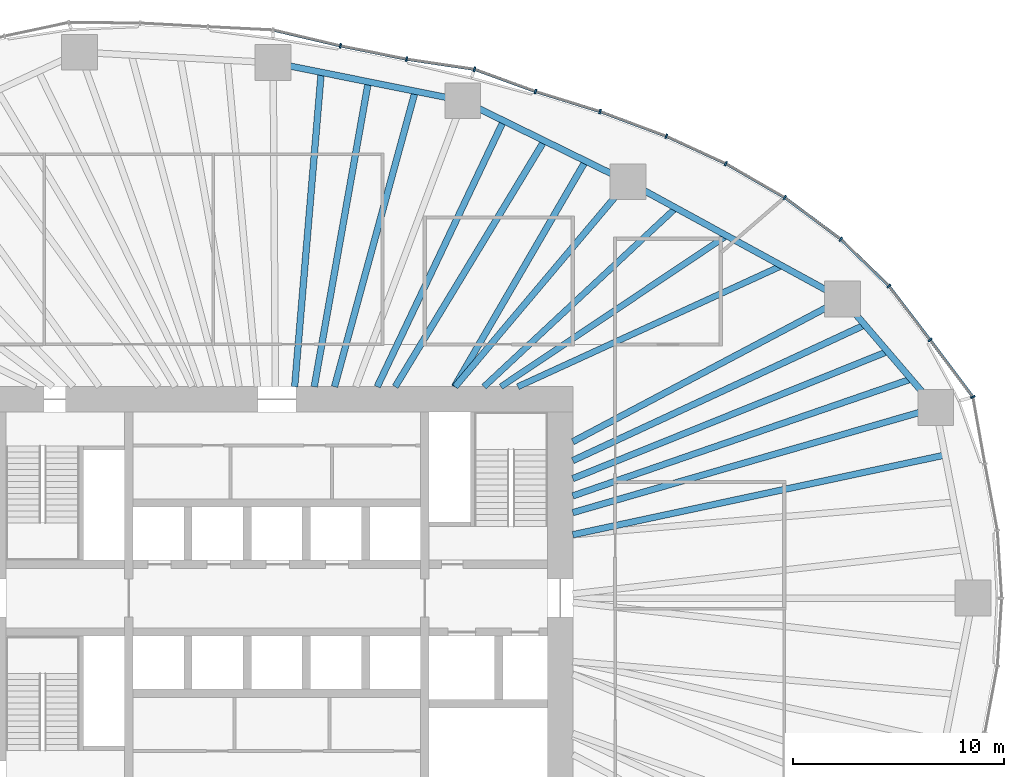
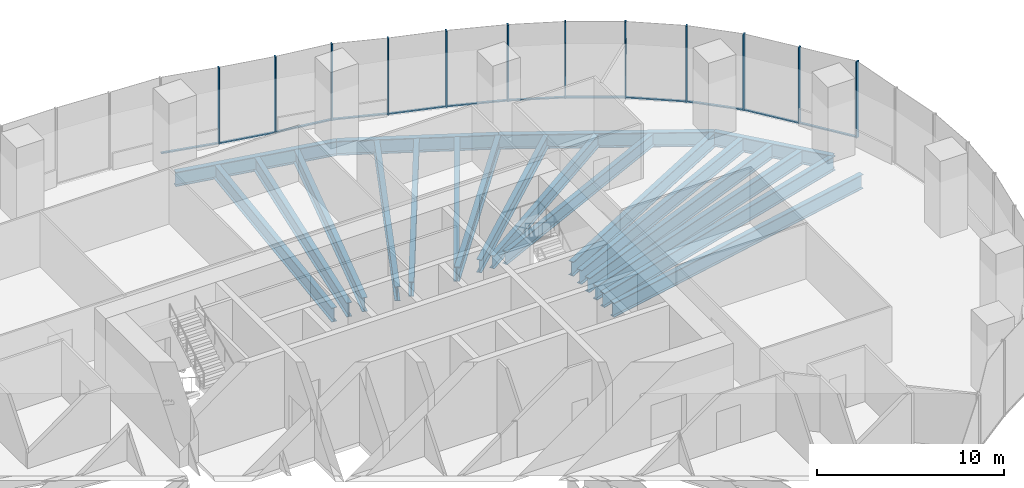
# One storey, part 6 of 20: 24 members, 20 beams, 4 elements without a shape of their own.
"""IFC4 building model written with IfcOpenShell, lengths in metres."""

from ifc_helpers import new_model, si_unit, direction, frame, origin, origin_2d, place, context, subcontext, project, spatial, rectangle, i_section, extrude, material, material_profile, profile_set, type_object, element, aggregate, save


model = new_model("IFC4")

# Units and contexts
model_context = context("Model", 3, precision=1e-05, world=origin(), true_north=direction((0.0, 1.0)))
body_context = subcontext(model_context, "Body", "Model", "MODEL_VIEW")
ifc_project = project(units=[si_unit("LENGTHUNIT", "METRE"), si_unit("AREAUNIT", "SQUARE_METRE"), si_unit("VOLUMEUNIT", "CUBIC_METRE"), si_unit("PLANEANGLEUNIT", "RADIAN"), si_unit("MASSUNIT", "GRAM", prefix="KILO")], contexts=[model_context])

# Site, building, storey
site_placement = place(None, origin())
site = spatial("IfcSite", under=ifc_project, at=site_placement, CompositionType="ELEMENT")
building_placement = place(site_placement, origin())
building = spatial("IfcBuilding", under=site, at=building_placement, Name="Ghaith Harvest Tower", CompositionType="ELEMENT")
storey_placement = place(building_placement, frame((0.0, 0.0, 60.0)))
storey = spatial("IfcBuildingStorey", under=building, at=storey_placement, Name="L12", CompositionType="ELEMENT", Elevation=60.0)

# Curtain wall, members
ifc_material_1 = material(Name="Black anodised aluminium and fritted glass", Category="aluminium")
curtain_wall_type = type_object("IfcCurtainWallType", Name="CW-F CURTAIN WALL", PredefinedType="NOTDEFINED", material=ifc_material_1)
curtain_wall_1_placement = place(storey_placement, origin())
curtain_wall_1 = element("IfcCurtainWall", 1, at=curtain_wall_1_placement, inside=storey, type_object=curtain_wall_type, Name="Curtain wall CW-F bay 02 L12", PredefinedType="NOTDEFINED")
ifc_material_2 = material(Name="Aluminium, black anodised", Category="aluminium")
ifc_material_profile_1 = material_profile(ifc_material_2, rectangle(XDim=0.080078125, YDim=0.219970703125, at=origin_2d()), Name="CW-F MULLION 80x220")
ifc_profile_set_1 = profile_set([ifc_material_profile_1], Name="Aluminium, black anodised")
member_type_1 = type_object("IfcMemberType", Name="CW-F MULLION 80x220", PredefinedType="MULLION", material=ifc_profile_set_1)
member_1_placement = place(storey_placement, frame((32.923583984375, 9.515625, 0.0), z_axis=(0.0, 0.0, 1.0), x_axis=(-0.404701693729, 0.914448762421, 0.0)))
member_1 = element("IfcMember", 2, at=member_1_placement, type_object=member_type_1, Name="CW-F mullion 1 bay 02 L12", PredefinedType="MULLION", context=body_context, shape_type="SweptSolid", body=[
    extrude(rectangle(XDim=0.080078125, YDim=0.219970703125, at=origin_2d()), origin(), (0.0, 0.0, 1.0), 5.0),
])
member_2_placement = place(storey_placement, frame((30.896728515625, 12.215087890625, 0.0), z_axis=(0.0, 0.0, 1.0), x_axis=(-0.603948315345, 0.797023482961, 0.0)))
member_2 = element("IfcMember", 3, at=member_2_placement, type_object=member_type_1, Name="CW-F mullion 2 bay 02 L12", PredefinedType="MULLION", context=body_context, shape_type="SweptSolid", body=[
    extrude(rectangle(XDim=0.080078125, YDim=0.219970703125, at=origin_2d()), origin(), (0.0, 0.0, 1.0), 5.0),
])
member_3_placement = place(storey_placement, frame((28.947021484375, 14.763427734375, 0.0), z_axis=(0.0, 0.0, 1.0), x_axis=(-0.663604797296, 0.748083332929, 0.0)))
member_3 = element("IfcMember", 4, at=member_3_placement, type_object=member_type_1, Name="CW-F mullion 3 bay 02 L12", PredefinedType="MULLION", context=body_context, shape_type="SweptSolid", body=[
    extrude(rectangle(XDim=0.080078125, YDim=0.219970703125, at=origin_2d()), origin(), (0.0, 0.0, 1.0), 5.0),
])

curtain_wall_2_placement = place(storey_placement, origin())
curtain_wall_2 = element("IfcCurtainWall", 5, at=curtain_wall_2_placement, inside=storey, type_object=curtain_wall_type, Name="Curtain wall CW-F bay 03 L12", PredefinedType="NOTDEFINED")
member_4_placement = place(storey_placement, frame((26.673828125, 16.9755859375, 0.0), z_axis=(0.0, 0.0, 1.0), x_axis=(-0.762365981091, 0.647146127915, 0.0)))
member_4 = element("IfcMember", 6, at=member_4_placement, type_object=member_type_1, Name="CW-F mullion 1 bay 03 L12", PredefinedType="MULLION", context=body_context, shape_type="SweptSolid", body=[
    extrude(rectangle(XDim=0.080078125, YDim=0.219970703125, at=origin_2d()), origin(), (0.0, 0.0, 1.0), 5.0),
])
member_5_placement = place(storey_placement, frame((24.018310546875, 18.947265625, 0.0), z_axis=(0.0, 0.0, 1.0), x_axis=(-0.835443516723, 0.549576318963, 0.0)))
member_5 = element("IfcMember", 7, at=member_5_placement, type_object=member_type_1, Name="CW-F mullion 2 bay 03 L12", PredefinedType="MULLION", context=body_context, shape_type="SweptSolid", body=[
    extrude(rectangle(XDim=0.080078125, YDim=0.219970703125, at=origin_2d()), origin(), (0.0, 0.0, 1.0), 5.0),
])
member_6_placement = place(storey_placement, frame((21.2353515625, 20.552978515625, 0.0), z_axis=(0.0, 0.0, 1.0), x_axis=(-0.887896671642, 0.460042933308, 0.0)))
member_6 = element("IfcMember", 8, at=member_6_placement, type_object=member_type_1, Name="CW-F mullion 3 bay 03 L12", PredefinedType="MULLION", context=body_context, shape_type="SweptSolid", body=[
    extrude(rectangle(XDim=0.080078125, YDim=0.219970703125, at=origin_2d()), origin(), (0.0, 0.0, 1.0), 5.0),
])

curtain_wall_3_placement = place(storey_placement, origin())
curtain_wall_3 = element("IfcCurtainWall", 9, at=curtain_wall_3_placement, inside=storey, type_object=curtain_wall_type, Name="Curtain wall CW-F bay 04 L12", PredefinedType="NOTDEFINED")
member_7_placement = place(storey_placement, frame((18.422607421875, 21.8466796875, 0.0), z_axis=(0.0, 0.0, 1.0), x_axis=(-0.923910199252, 0.382609387912, 0.0)))
member_7 = element("IfcMember", 10, at=member_7_placement, type_object=member_type_1, Name="CW-F mullion 1 bay 04 L12", PredefinedType="MULLION", context=body_context, shape_type="SweptSolid", body=[
    extrude(rectangle(XDim=0.080078125, YDim=0.219970703125, at=origin_2d()), origin(), (0.0, 0.0, 1.0), 5.0),
])
member_8_placement = place(storey_placement, frame((15.28759765625, 23.01611328125, 0.0), z_axis=(0.0, 0.0, 1.0), x_axis=(-0.946121020954, 0.323813238933, 0.0)))
member_8 = element("IfcMember", 11, at=member_8_placement, type_object=member_type_1, Name="CW-F mullion 2 bay 04 L12", PredefinedType="MULLION", context=body_context, shape_type="SweptSolid", body=[
    extrude(rectangle(XDim=0.080078125, YDim=0.219970703125, at=origin_2d()), origin(), (0.0, 0.0, 1.0), 5.0),
])
member_9_placement = place(storey_placement, frame((12.234375, 23.964599609375, 0.0), z_axis=(0.0, 0.0, 1.0), x_axis=(-0.947653438436, 0.319300736957, 0.0)))
member_9 = element("IfcMember", 12, at=member_9_placement, type_object=member_type_1, Name="CW-F mullion 3 bay 04 L12", PredefinedType="MULLION", context=body_context, shape_type="SweptSolid", body=[
    extrude(rectangle(XDim=0.080078125, YDim=0.219970703125, at=origin_2d()), origin(), (0.0, 0.0, 1.0), 5.0),
])

curtain_wall_4_placement = place(storey_placement, origin())
curtain_wall_4 = element("IfcCurtainWall", 13, at=curtain_wall_4_placement, inside=storey, type_object=curtain_wall_type, Name="Curtain wall CW-F bay 05 L12", PredefinedType="NOTDEFINED")
member_10_placement = place(storey_placement, frame((9.351806640625, 25.01611328125, 0.0), z_axis=(0.0, 0.0, 1.0), x_axis=(-0.969903429236, 0.243489913461, 0.0)))
member_10 = element("IfcMember", 14, at=member_10_placement, type_object=member_type_1, Name="CW-F mullion 1 bay 05 L12", PredefinedType="MULLION", context=body_context, shape_type="SweptSolid", body=[
    extrude(rectangle(XDim=0.080078125, YDim=0.219970703125, at=origin_2d()), origin(), (0.0, 0.0, 1.0), 5.0),
])
member_11_placement = place(storey_placement, frame((6.136962890625, 25.495361328125, 0.0), z_axis=(0.0, 0.0, 1.0), x_axis=(-0.985103843977, 0.171960508788, 0.0)))
member_11 = element("IfcMember", 15, at=member_11_placement, type_object=member_type_1, Name="CW-F mullion 2 bay 05 L12", PredefinedType="MULLION", context=body_context, shape_type="SweptSolid", body=[
    extrude(rectangle(XDim=0.080078125, YDim=0.219970703125, at=origin_2d()), origin(), (0.0, 0.0, 1.0), 5.0),
])
member_12_placement = place(storey_placement, frame((3.00927734375, 26.123291015625, 0.0), z_axis=(0.0, 0.0, 1.0), x_axis=(-0.976927332869, 0.213571969822, 0.0)))
member_12 = element("IfcMember", 16, at=member_12_placement, type_object=member_type_1, Name="CW-F mullion 3 bay 05 L12", PredefinedType="MULLION", context=body_context, shape_type="SweptSolid", body=[
    extrude(rectangle(XDim=0.080078125, YDim=0.219970703125, at=origin_2d()), origin(), (0.0, 0.0, 1.0), 5.0),
])

# Member
ifc_material_3 = material(Name="Aluminium, black anodised", Category="aluminium")
ifc_material_profile_2 = material_profile(ifc_material_3, rectangle(XDim=0.139892578125, YDim=0.080078125, at=origin_2d()), Name="CW-F TRANSOM 140x80")
ifc_profile_set_2 = profile_set([ifc_material_profile_2], Name="Aluminium, black anodised")
member_type_2 = type_object("IfcMemberType", Name="CW-F TRANSOM 140x80", PredefinedType="USERDEFINED", material=ifc_profile_set_2)
member_13_placement = place(storey_placement, frame((32.899658203125, 9.547607421875, 0.0400390625), z_axis=(-0.600462135687, 0.799653189581, 0.0), x_axis=(-0.799653189581, -0.600462135687, 0.0)))
member_13 = element("IfcMember", 17, at=member_13_placement, type_object=member_type_2, Name="CW-F transom 1 bay 02 L12", ObjectType="TRANSOM", PredefinedType="USERDEFINED", context=body_context, shape_type="SweptSolid", body=[
    extrude(rectangle(XDim=0.139892578125, YDim=0.080078125, at=origin_2d()), origin(), (0.0, 0.0, 1.0), 3.2958984375),
])

member_14_placement = place(storey_placement, frame((30.87255859375, 12.246826171875, 0.0400390625), z_axis=(-0.607638356471, 0.794213842579, 0.0), x_axis=(-0.794213842579, -0.607638356471, 0.0)))
member_14 = element("IfcMember", 18, at=member_14_placement, type_object=member_type_2, Name="CW-F transom 2 bay 02 L12", ObjectType="TRANSOM", PredefinedType="USERDEFINED", context=body_context, shape_type="SweptSolid", body=[
    extrude(rectangle(XDim=0.139892578125, YDim=0.080078125, at=origin_2d()), origin(), (0.0, 0.0, 1.0), 3.128662109375),
])

member_15_placement = place(storey_placement, frame((28.91845703125, 14.791259765625, 0.0400390625), z_axis=(-0.71671313139, 0.697368114623, 0.0), x_axis=(-0.697368114623, -0.71671313139, 0.0)))
member_15 = element("IfcMember", 19, at=member_15_placement, type_object=member_type_2, Name="CW-F transom 3 bay 02 L12", ObjectType="TRANSOM", PredefinedType="USERDEFINED", context=body_context, shape_type="SweptSolid", body=[
    extrude(rectangle(XDim=0.139892578125, YDim=0.080078125, at=origin_2d()), origin(), (0.0, 0.0, 1.0), 3.092041015625),
])

aggregate(curtain_wall_1, [member_1, member_13, member_2, member_14, member_3, member_15])

member_16_placement = place(storey_placement, frame((26.641845703125, 16.999267578125, 0.0400390625), z_axis=(-0.802877287823, 0.596144328748, 0.0), x_axis=(-0.596144328748, -0.802877287823, 0.0)))
member_16 = element("IfcMember", 20, at=member_16_placement, type_object=member_type_2, Name="CW-F transom 1 bay 03 L12", ObjectType="TRANSOM", PredefinedType="USERDEFINED", context=body_context, shape_type="SweptSolid", body=[
    extrude(rectangle(XDim=0.139892578125, YDim=0.080078125, at=origin_2d()), origin(), (0.0, 0.0, 1.0), 3.2275390625),
])

member_17_placement = place(storey_placement, frame((23.983642578125, 18.96728515625, 0.0400390625), z_axis=(-0.866168719914, 0.499751686983, 0.0), x_axis=(-0.499751686983, -0.866168719914, 0.0)))
member_17 = element("IfcMember", 21, at=member_17_placement, type_object=member_type_2, Name="CW-F transom 2 bay 03 L12", ObjectType="TRANSOM", PredefinedType="USERDEFINED", context=body_context, shape_type="SweptSolid", body=[
    extrude(rectangle(XDim=0.139892578125, YDim=0.080078125, at=origin_2d()), origin(), (0.0, 0.0, 1.0), 3.1328125),
])

member_18_placement = place(storey_placement, frame((21.19921875, 20.56982421875, 0.0400390625), z_axis=(-0.908553137239, 0.417769310521, 0.0), x_axis=(-0.417769310521, -0.908553137239, 0.0)))
member_18 = element("IfcMember", 22, at=member_18_placement, type_object=member_type_2, Name="CW-F transom 3 bay 03 L12", ObjectType="TRANSOM", PredefinedType="USERDEFINED", context=body_context, shape_type="SweptSolid", body=[
    extrude(rectangle(XDim=0.139892578125, YDim=0.080078125, at=origin_2d()), origin(), (0.0, 0.0, 1.0), 3.01611328125),
])

aggregate(curtain_wall_2, [member_4, member_16, member_5, member_17, member_6, member_18])

member_19_placement = place(storey_placement, frame((18.385009765625, 21.860595703125, 0.0400390625), z_axis=(-0.936923785579, 0.349533717996, 0.0), x_axis=(-0.349533717996, -0.936923785579, 0.0)))
member_19 = element("IfcMember", 23, at=member_19_placement, type_object=member_type_2, Name="CW-F transom 1 bay 04 L12", ObjectType="TRANSOM", PredefinedType="USERDEFINED", context=body_context, shape_type="SweptSolid", body=[
    extrude(rectangle(XDim=0.139892578125, YDim=0.080078125, at=origin_2d()), origin(), (0.0, 0.0, 1.0), 3.26611328125),
])

member_20_placement = place(storey_placement, frame((15.249267578125, 23.028076171875, 0.0400390625), z_axis=(-0.954998362353, 0.296611071781, 0.0), x_axis=(-0.296611071781, -0.954998362353, 0.0)))
member_20 = element("IfcMember", 24, at=member_20_placement, type_object=member_type_2, Name="CW-F transom 2 bay 04 L12", ObjectType="TRANSOM", PredefinedType="USERDEFINED", context=body_context, shape_type="SweptSolid", body=[
    extrude(rectangle(XDim=0.139892578125, YDim=0.080078125, at=origin_2d()), origin(), (0.0, 0.0, 1.0), 3.1171875),
])

member_21_placement = place(storey_placement, frame((12.19677734375, 23.978271484375, 0.0400390625), z_axis=(-0.939437502081, 0.342720264478, 0.0), x_axis=(-0.342720264478, -0.939437502081, 0.0)))
member_21 = element("IfcMember", 25, at=member_21_placement, type_object=member_type_2, Name="CW-F transom 3 bay 04 L12", ObjectType="TRANSOM", PredefinedType="USERDEFINED", context=body_context, shape_type="SweptSolid", body=[
    extrude(rectangle(XDim=0.139892578125, YDim=0.080078125, at=origin_2d()), origin(), (0.0, 0.0, 1.0), 2.98828125),
])

aggregate(curtain_wall_3, [member_7, member_19, member_8, member_20, member_9, member_21])

member_22_placement = place(storey_placement, frame((9.312255859375, 25.02197265625, 0.0400390625), z_axis=(-0.989078238205, 0.147391447207, 0.0), x_axis=(-0.147391447207, -0.989078238205, 0.0)))
member_22 = element("IfcMember", 26, at=member_22_placement, type_object=member_type_2, Name="CW-F transom 1 bay 05 L12", ObjectType="TRANSOM", PredefinedType="USERDEFINED", context=body_context, shape_type="SweptSolid", body=[
    extrude(rectangle(XDim=0.139892578125, YDim=0.080078125, at=origin_2d()), origin(), (0.0, 0.0, 1.0), 3.17041015625),
])

member_23_placement = place(storey_placement, frame((6.097900390625, 25.503173828125, 0.0400390625), z_axis=(-0.980432471193, 0.196855707129, 0.0), x_axis=(-0.196855707129, -0.980432471193, 0.0)))
member_23 = element("IfcMember", 27, at=member_23_placement, type_object=member_type_2, Name="CW-F transom 2 bay 05 L12", ObjectType="TRANSOM", PredefinedType="USERDEFINED", context=body_context, shape_type="SweptSolid", body=[
    extrude(rectangle(XDim=0.139892578125, YDim=0.080078125, at=origin_2d()), origin(), (0.0, 0.0, 1.0), 3.1103515625),
])

member_24_placement = place(storey_placement, frame((2.97021484375, 26.132568359375, 0.0400390625), z_axis=(-0.973252867589, 0.229736491942, 0.0), x_axis=(-0.229736491942, -0.973252867589, 0.0)))
member_24 = element("IfcMember", 28, at=member_24_placement, type_object=member_type_2, Name="CW-F transom 3 bay 05 L12", ObjectType="TRANSOM", PredefinedType="USERDEFINED", context=body_context, shape_type="SweptSolid", body=[
    extrude(rectangle(XDim=0.139892578125, YDim=0.080078125, at=origin_2d()), origin(), (0.0, 0.0, 1.0), 3.200927734375),
])

aggregate(curtain_wall_4, [member_10, member_22, member_11, member_23, member_12, member_24])

# Beams
ifc_material_4 = material(Name="Steel ASTM A992 Grade 50", Category="steel")
ifc_material_profile_3 = material_profile(ifc_material_4, i_section(OverallWidth=0.306884765625, OverallDepth=0.94189453125, WebThickness=0.022216796875, FlangeThickness=0.039794921875, at=origin_2d()), Name="W920X345")
ifc_profile_set_3 = profile_set([ifc_material_profile_3], Name="Steel ASTM A992 Grade 50")
beam_type_1 = type_object("IfcBeamType", Name="E920-345 W920X345", PredefinedType="SPANDREL", material=ifc_profile_set_3)
beam_1_placement = place(storey_placement, frame((31.166015625, 9.008056640625, -0.6708984375), z_axis=(-0.65056255283, 0.759452674533, 0.0), x_axis=(-0.759452674533, -0.65056255283, 0.0)))
element("IfcBeam", 29, at=beam_1_placement, inside=storey, type_object=beam_type_1, Name="Edge beam E02 L12", PredefinedType="SPANDREL", context=body_context, shape_type="SweptSolid", body=[
    extrude(i_section(OverallWidth=0.306884765625, OverallDepth=0.94189453125, WebThickness=0.022216796875, FlangeThickness=0.039794921875, at=origin_2d()), origin(), (0.0, 0.0, 1.0), 6.7666015625),
])
beam_2_placement = place(storey_placement, frame((26.763916015625, 14.14697265625, -0.6708984375), z_axis=(-0.877588218279, 0.479415184509, 0.0), x_axis=(-0.479415184509, -0.877588218279, 0.0)))
element("IfcBeam", 30, at=beam_2_placement, inside=storey, type_object=beam_type_1, Name="Edge beam E03 L12", PredefinedType="SPANDREL", context=body_context, shape_type="SweptSolid", body=[
    extrude(i_section(OverallWidth=0.306884765625, OverallDepth=0.94189453125, WebThickness=0.022216796875, FlangeThickness=0.039794921875, at=origin_2d()), origin(), (0.0, 0.0, 1.0), 11.57275390625),
])
beam_3_placement = place(storey_placement, frame((16.60791015625, 19.695068359375, -0.6708984375), z_axis=(-0.897823733825, 0.440355019252, 0.0), x_axis=(-0.440355019252, -0.897823733825, 0.0)))
element("IfcBeam", 31, at=beam_3_placement, inside=storey, type_object=beam_type_1, Name="Edge beam E04 L12", PredefinedType="SPANDREL", context=body_context, shape_type="SweptSolid", body=[
    extrude(i_section(OverallWidth=0.306884765625, OverallDepth=0.94189453125, WebThickness=0.022216796875, FlangeThickness=0.039794921875, at=origin_2d()), origin(), (0.0, 0.0, 1.0), 8.7021484375),
])
beam_4_placement = place(storey_placement, frame((8.794921875, 23.527099609375, -0.6708984375), z_axis=(-0.980450082464, 0.196767974517, 0.0), x_axis=(-0.196767974517, -0.980450082464, 0.0)))
element("IfcBeam", 32, at=beam_4_placement, inside=storey, type_object=beam_type_1, Name="Edge beam E05 L12", PredefinedType="SPANDREL", context=body_context, shape_type="SweptSolid", body=[
    extrude(i_section(OverallWidth=0.306884765625, OverallDepth=0.94189453125, WebThickness=0.022216796875, FlangeThickness=0.039794921875, at=origin_2d()), origin(), (0.0, 0.0, 1.0), 9.146728515625),
])
ifc_material_5 = material(Name="Steel ASTM A992 Grade 50", Category="steel")
ifc_material_profile_4 = material_profile(ifc_material_5, i_section(OverallWidth=0.306884765625, OverallDepth=0.94189453125, WebThickness=0.022216796875, FlangeThickness=0.039794921875, at=origin_2d()), Name="W920X345")
ifc_profile_set_4 = profile_set([ifc_material_profile_4], Name="Steel ASTM A992 Grade 50")
beam_type_2 = type_object("IfcBeamType", Name="G920-345 W920X345", PredefinedType="BEAM", material=ifc_profile_set_4)
beam_5_placement = place(storey_placement, frame((14.0, 4.04638671875, -0.6708984375), z_axis=(0.960675395102, 0.277673882903, 0.0), x_axis=(-0.277673882903, 0.960675395102, 0.0)))
element("IfcBeam", 33, at=beam_5_placement, inside=storey, type_object=beam_type_2, Name="Radial girder G02 L12", PredefinedType="BEAM", context=body_context, shape_type="SweptSolid", body=[
    extrude(i_section(OverallWidth=0.306884765625, OverallDepth=0.94189453125, WebThickness=0.022216796875, FlangeThickness=0.039794921875, at=origin_2d()), origin(), (0.0, 0.0, 1.0), 17.86865234375),
])
beam_6_placement = place(storey_placement, frame((14.0, 7.39990234375, -0.6708984375), z_axis=(0.884082663971, 0.467330550324, 0.0), x_axis=(-0.467330550324, 0.884082663971, 0.0)))
element("IfcBeam", 34, at=beam_6_placement, inside=storey, type_object=beam_type_2, Name="Radial girder G03 L12", PredefinedType="BEAM", context=body_context, shape_type="SweptSolid", body=[
    extrude(i_section(OverallWidth=0.306884765625, OverallDepth=0.94189453125, WebThickness=0.022216796875, FlangeThickness=0.039794921875, at=origin_2d()), origin(), (0.0, 0.0, 1.0), 14.4375),
])
beam_7_placement = place(storey_placement, frame((8.4326171875, 10.0, -0.6708984375), z_axis=(0.644644245772, 0.764482698557, 0.0), x_axis=(-0.764482698557, 0.644644245772, 0.0)))
element("IfcBeam", 35, at=beam_7_placement, inside=storey, type_object=beam_type_2, Name="Radial girder G04 L12", PredefinedType="BEAM", context=body_context, shape_type="SweptSolid", body=[
    extrude(i_section(OverallWidth=0.306884765625, OverallDepth=0.94189453125, WebThickness=0.022216796875, FlangeThickness=0.039794921875, at=origin_2d()), origin(), (0.0, 0.0, 1.0), 12.681884765625),
])
ifc_material_6 = material(Name="Steel ASTM A992 Grade 50", Category="steel")
ifc_material_profile_5 = material_profile(ifc_material_6, i_section(OverallWidth=0.2939453125, OverallDepth=0.85107421875, WebThickness=0.01611328125, FlangeThickness=0.02685546875, at=origin_2d()), Name="W840X226")
ifc_profile_set_5 = profile_set([ifc_material_profile_5], Name="Steel ASTM A992 Grade 50")
beam_type_3 = type_object("IfcBeamType", Name="J840-226 W840X226", PredefinedType="JOIST", material=ifc_profile_set_5)
beam_8_placement = place(storey_placement, frame((11.39990234375, 10.0, -0.62548828125), z_axis=(0.909014022454, 0.416765529983, 0.0), x_axis=(-0.416765529983, 0.909014022454, 0.0)))
element("IfcBeam", 36, at=beam_8_placement, inside=storey, type_object=beam_type_3, Name="Joist J03.1 L12", PredefinedType="JOIST", context=body_context, shape_type="SweptSolid", body=[
    extrude(i_section(OverallWidth=0.2939453125, OverallDepth=0.85107421875, WebThickness=0.01611328125, FlangeThickness=0.02685546875, at=origin_2d()), origin(), (0.0, 0.0, 1.0), 13.72998046875),
])
beam_9_placement = place(storey_placement, frame((10.60009765625, 10.0, -0.62548828125), z_axis=(0.831116486766, 0.556098359489, 0.0), x_axis=(-0.556098359489, 0.831116486766, 0.0)))
element("IfcBeam", 37, at=beam_9_placement, inside=storey, type_object=beam_type_3, Name="Joist J03.2 L12", PredefinedType="JOIST", context=body_context, shape_type="SweptSolid", body=[
    extrude(i_section(OverallWidth=0.2939453125, OverallDepth=0.85107421875, WebThickness=0.01611328125, FlangeThickness=0.02685546875, at=origin_2d()), origin(), (0.0, 0.0, 1.0), 12.84716796875),
])
beam_10_placement = place(storey_placement, frame((9.800048828125, 10.0, -0.62548828125), z_axis=(0.731538123562, 0.681800538116, 0.0), x_axis=(-0.681800538116, 0.731538123562, 0.0)))
element("IfcBeam", 38, at=beam_10_placement, inside=storey, type_object=beam_type_3, Name="Joist J03.3 L12", PredefinedType="JOIST", context=body_context, shape_type="SweptSolid", body=[
    extrude(i_section(OverallWidth=0.2939453125, OverallDepth=0.85107421875, WebThickness=0.01611328125, FlangeThickness=0.02685546875, at=origin_2d()), origin(), (0.0, 0.0, 1.0), 12.404052734375),
])
ifc_material_7 = material(Name="Steel ASTM A992 Grade 50", Category="steel")
ifc_material_profile_6 = material_profile(ifc_material_7, i_section(OverallWidth=0.31005859375, OverallDepth=0.927001953125, WebThickness=0.019287109375, FlangeThickness=0.031982421875, at=origin_2d()), Name="W920X289")
ifc_profile_set_6 = profile_set([ifc_material_profile_6], Name="Steel ASTM A992 Grade 50")
beam_type_4 = type_object("IfcBeamType", Name="J920-289 W920X289", PredefinedType="JOIST", material=ifc_profile_set_6)
beam_11_placement = place(storey_placement, frame((14.0, 6.506103515625, -0.66357421875), z_axis=(0.906862619792, 0.421426374144, 0.0), x_axis=(-0.421426374144, 0.906862619792, 0.0)))
element("IfcBeam", 39, at=beam_11_placement, inside=storey, type_object=beam_type_4, Name="Joist J02.3 L12", PredefinedType="JOIST", context=body_context, shape_type="SweptSolid", body=[
    extrude(i_section(OverallWidth=0.31005859375, OverallDepth=0.927001953125, WebThickness=0.019287109375, FlangeThickness=0.031982421875, at=origin_2d()), origin(), (0.0, 0.0, 1.0), 15.229736328125),
])
beam_12_placement = place(storey_placement, frame((8.39990234375, 10.0, -0.66357421875), z_axis=(0.50228574324, 0.864701701246, 0.0), x_axis=(-0.864701701246, 0.50228574324, 0.0)))
element("IfcBeam", 40, at=beam_12_placement, inside=storey, type_object=beam_type_4, Name="Joist J04.1 L12", PredefinedType="JOIST", context=body_context, shape_type="SweptSolid", body=[
    extrude(i_section(OverallWidth=0.31005859375, OverallDepth=0.927001953125, WebThickness=0.019287109375, FlangeThickness=0.031982421875, at=origin_2d()), origin(), (0.0, 0.0, 1.0), 12.349365234375),
])
beam_13_placement = place(storey_placement, frame((5.60009765625, 10.0, -0.66357421875), z_axis=(0.518319612023, 0.85518698528, 0.0), x_axis=(-0.85518698528, 0.518319612023, 0.0)))
element("IfcBeam", 41, at=beam_13_placement, inside=storey, type_object=beam_type_4, Name="Joist J04.2 L12", PredefinedType="JOIST", context=body_context, shape_type="SweptSolid", body=[
    extrude(i_section(OverallWidth=0.31005859375, OverallDepth=0.927001953125, WebThickness=0.019287109375, FlangeThickness=0.031982421875, at=origin_2d()), origin(), (0.0, 0.0, 1.0), 13.60546875),
])
beam_14_placement = place(storey_placement, frame((4.75, 10.0, -0.66357421875), z_axis=(0.429059675117, 0.903276145588, 0.0), x_axis=(-0.903276145588, 0.429059675117, 0.0)))
element("IfcBeam", 42, at=beam_14_placement, inside=storey, type_object=beam_type_4, Name="Joist J04.3 L12", PredefinedType="JOIST", context=body_context, shape_type="SweptSolid", body=[
    extrude(i_section(OverallWidth=0.31005859375, OverallDepth=0.927001953125, WebThickness=0.019287109375, FlangeThickness=0.031982421875, at=origin_2d()), origin(), (0.0, 0.0, 1.0), 13.92724609375),
])
beam_15_placement = place(storey_placement, frame((2.73095703125, 10.0, -0.66357421875), z_axis=(0.263455282447, 0.964671609487, 0.0), x_axis=(-0.964671609487, 0.263455282447, 0.0)))
element("IfcBeam", 43, at=beam_15_placement, inside=storey, type_object=beam_type_4, Name="Joist J05.1 L12", PredefinedType="JOIST", context=body_context, shape_type="SweptSolid", body=[
    extrude(i_section(OverallWidth=0.31005859375, OverallDepth=0.927001953125, WebThickness=0.019287109375, FlangeThickness=0.031982421875, at=origin_2d()), origin(), (0.0, 0.0, 1.0), 14.48974609375),
])
beam_16_placement = place(storey_placement, frame((1.772705078125, 10.0, -0.66357421875), z_axis=(0.174552574354, 0.984647855218, 0.0), x_axis=(-0.984647855218, 0.174552574354, 0.0)))
element("IfcBeam", 44, at=beam_16_placement, inside=storey, type_object=beam_type_4, Name="Joist J05.2 L12", PredefinedType="JOIST", context=body_context, shape_type="SweptSolid", body=[
    extrude(i_section(OverallWidth=0.31005859375, OverallDepth=0.927001953125, WebThickness=0.019287109375, FlangeThickness=0.031982421875, at=origin_2d()), origin(), (0.0, 0.0, 1.0), 14.648193359375),
])
beam_17_placement = place(storey_placement, frame((0.844970703125, 10.0, -0.66357421875), z_axis=(0.084219252187, 0.996447247756, 0.0), x_axis=(-0.996447247756, 0.084219252187, 0.0)))
element("IfcBeam", 45, at=beam_17_placement, inside=storey, type_object=beam_type_4, Name="Joist J05.3 L12", PredefinedType="JOIST", context=body_context, shape_type="SweptSolid", body=[
    extrude(i_section(OverallWidth=0.31005859375, OverallDepth=0.927001953125, WebThickness=0.019287109375, FlangeThickness=0.031982421875, at=origin_2d()), origin(), (0.0, 0.0, 1.0), 14.92333984375),
])
ifc_material_8 = material(Name="Steel ASTM A992 Grade 50", Category="steel")
ifc_material_profile_7 = material_profile(ifc_material_8, i_section(OverallWidth=0.306884765625, OverallDepth=0.94189453125, WebThickness=0.022216796875, FlangeThickness=0.039794921875, at=origin_2d()), Name="W920X345")
ifc_profile_set_7 = profile_set([ifc_material_profile_7], Name="Steel ASTM A992 Grade 50")
beam_type_5 = type_object("IfcBeamType", Name="J920-345 W920X345", PredefinedType="JOIST", material=ifc_profile_set_7)
beam_18_placement = place(storey_placement, frame((14.0, 3.0, -0.6708984375), z_axis=(0.977831380626, 0.209393865869, 0.0), x_axis=(-0.209393865869, 0.977831380626, 0.0)))
element("IfcBeam", 46, at=beam_18_placement, inside=storey, type_object=beam_type_5, Name="Joist J01.3 L12", PredefinedType="JOIST", context=body_context, shape_type="SweptSolid", body=[
    extrude(i_section(OverallWidth=0.306884765625, OverallDepth=0.94189453125, WebThickness=0.022216796875, FlangeThickness=0.039794921875, at=origin_2d()), origin(), (0.0, 0.0, 1.0), 18.002197265625),
])
beam_19_placement = place(storey_placement, frame((14.0, 4.835693359375, -0.6708984375), z_axis=(0.945204767809, 0.326478095607, 0.0), x_axis=(-0.326478095607, 0.945204767809, 0.0)))
element("IfcBeam", 47, at=beam_19_placement, inside=storey, type_object=beam_type_5, Name="Joist J02.1 L12", PredefinedType="JOIST", context=body_context, shape_type="SweptSolid", body=[
    extrude(i_section(OverallWidth=0.306884765625, OverallDepth=0.94189453125, WebThickness=0.022216796875, FlangeThickness=0.039794921875, at=origin_2d()), origin(), (0.0, 0.0, 1.0), 16.932373046875),
])
beam_20_placement = place(storey_placement, frame((14.0, 5.653564453125, -0.6708984375), z_axis=(0.927252192145, 0.374437407536, 0.0), x_axis=(-0.374437407536, 0.927252192145, 0.0)))
element("IfcBeam", 48, at=beam_20_placement, inside=storey, type_object=beam_type_5, Name="Joist J02.2 L12", PredefinedType="JOIST", context=body_context, shape_type="SweptSolid", body=[
    extrude(i_section(OverallWidth=0.306884765625, OverallDepth=0.94189453125, WebThickness=0.022216796875, FlangeThickness=0.039794921875, at=origin_2d()), origin(), (0.0, 0.0, 1.0), 16.057373046875),
])

save(model, "model.ifc")
